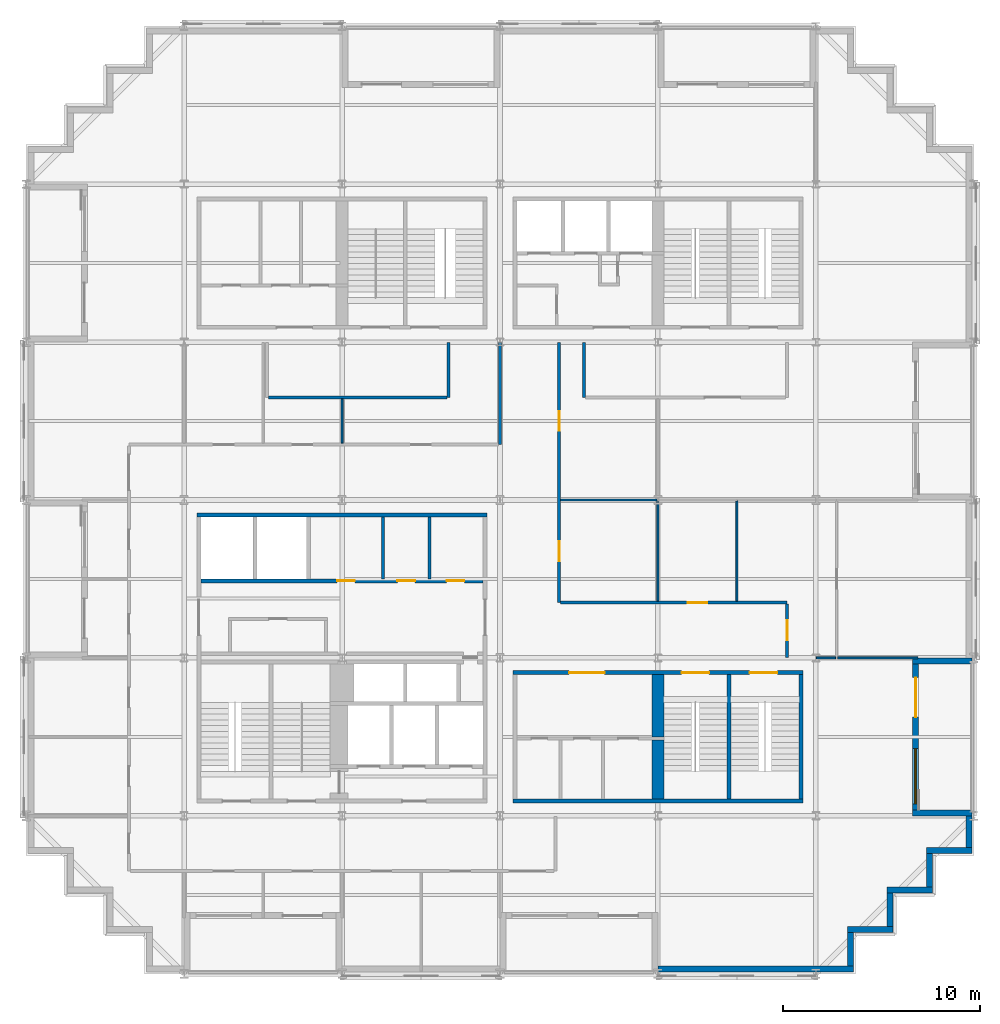
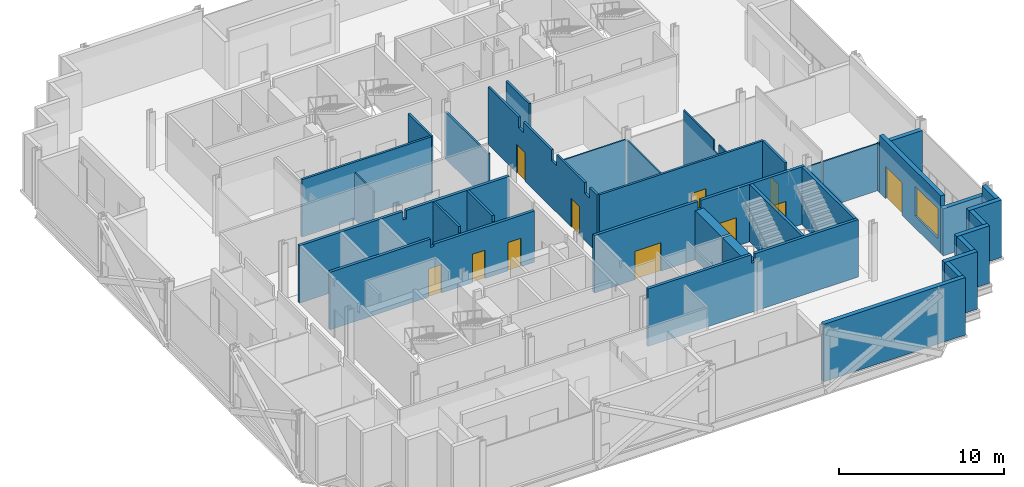
# One storey, part 8 of 13: 34 walls, 11 doors, 1 window, 12 openings.
"""IFC4 building model written with IfcOpenShell, lengths in metres."""

from ifc_helpers import new_model, si_unit, direction, frame, frame_2d, origin, place, context, subcontext, project, spatial, polyline, rectangle, outline, extrude, material, layer, layer_set, type_object, element, fill, save


model = new_model("IFC4")

# Units and contexts
model_context = context("Model", 3, precision=1e-05, world=origin(), true_north=direction((0.0, 1.0)))
body_context = subcontext(model_context, "Body", "Model", "MODEL_VIEW")
ifc_project = project(units=[si_unit("LENGTHUNIT", "METRE"), si_unit("AREAUNIT", "SQUARE_METRE"), si_unit("VOLUMEUNIT", "CUBIC_METRE"), si_unit("PLANEANGLEUNIT", "RADIAN"), si_unit("MASSUNIT", "GRAM", prefix="KILO")], contexts=[model_context])

# Site, building, storey
site_placement = place(None, origin())
site = spatial("IfcSite", under=ifc_project, at=site_placement, CompositionType="ELEMENT")
building_placement = place(site_placement, origin())
building = spatial("IfcBuilding", under=site, at=building_placement, Name="Immortelle Media Tower", CompositionType="ELEMENT")
storey_placement = place(building_placement, frame((0.0, 0.0, 74.39990234375)))
storey = spatial("IfcBuildingStorey", under=building, at=storey_placement, Name="L13", CompositionType="ELEMENT", Elevation=74.39990234375)

# Walls
ifc_material_1 = material(Name="Fire-rated gypsum board", Category="gypsum")
ifc_layer_1 = layer(ifc_material_1, 0.02490234375)
ifc_material_2 = material(Name="Steel ASTM A653 SS Gr 50 stud frame with mineral wool", Category="steel")
ifc_layer_2 = layer(ifc_material_2, 0.10009765625)
ifc_layer_3 = layer(ifc_material_1, 0.02490234375)
ifc_layer_set_1 = layer_set([ifc_layer_1, ifc_layer_2, ifc_layer_3], Name="Steel ASTM A653 SS Gr 50 stud frame with mineral wool")
wall_type_1 = type_object("IfcWallType", Name="Core partition 150", PredefinedType="PARTITIONING", material=ifc_layer_set_1)
for number, where, z_axis, x_axis, name in (
    (1, (18.074951171875, 20.0, 0.0), (0.0, 0.0, 1.0), (0.0, 1.0, 0.0), "Core partition SW"),
    (2, (20.425048828125, 20.0, 0.0), (0.0, 0.0, 1.0), (0.0, 1.0, 0.0), "Core partition SW"),
):
    element("IfcWall", number, at=place(storey_placement, frame(where, z_axis=z_axis, x_axis=x_axis)), inside=storey, type_object=wall_type_1, Name=name, PredefinedType="PARTITIONING", context=body_context, shape_type="SweptSolid", body=[
        extrude(outline(polyline([(0.0, 0.0), (3.14990234375, 0.0), (3.14990234375, 4.25), (0.08154296875, 4.25), (0.08056640625, 3.7890625), (0.0, 3.7890625), (0.0, 0.0)])), frame((0.0, 0.074951171875, 0.0), z_axis=(0.0, -1.0, 0.0), x_axis=(1.0, 0.0, 0.0)), (0.0, 0.0, 1.0), 0.14990234375),
    ])
ifc_layer_4 = layer(ifc_material_1, 0.03759765625)
ifc_layer_5 = layer(ifc_material_2, 0.125)
ifc_layer_6 = layer(ifc_material_1, 0.03759765625)
ifc_layer_set_2 = layer_set([ifc_layer_4, ifc_layer_5, ifc_layer_6], Name="Steel ASTM A653 SS Gr 50 stud frame with mineral wool")
wall_type_2 = type_object("IfcWallType", Name="Core shaft wall 200", PredefinedType="PARTITIONING", material=ifc_layer_set_2)
wall_1_placement = place(storey_placement, frame((8.64990234375, 23.25, 0.0), z_axis=(0.0, 0.0, 1.0), x_axis=(1.0, 0.0, 0.0)))
element("IfcWall", 3, at=wall_1_placement, inside=storey, type_object=wall_type_2, Name="Core shaft wall SW", PredefinedType="PARTITIONING", context=body_context, shape_type="SweptSolid", body=[
    extrude(outline(polyline([(0.0, 0.0), (14.7001953125, 0.0), (14.699951171875, 4.25), (7.469482421875, 4.25), (7.468505859375, 3.632080078125), (7.2314453125, 3.632080078125), (7.23046875, 4.25), (0.0, 4.25), (0.0, 0.0)])), frame((0.0, 0.10009765625, 0.0), z_axis=(0.0, -1.0, 0.0), x_axis=(1.0, 0.0, 0.0)), (0.0, 0.0, 1.0), 0.199951171875),
])

# Wall, openings, doors
wall_2_placement = place(storey_placement, frame((8.85009765625, 19.89990234375, 0.0), z_axis=(0.0, 0.0, 1.0), x_axis=(1.0, 0.0, 0.0)))
wall_2 = element("IfcWall", 4, at=wall_2_placement, inside=storey, type_object=wall_type_2, Name="Core shaft wall SW", PredefinedType="PARTITIONING", context=body_context, shape_type="SweptSolid", body=[
    extrude(outline(polyline([(0.0, 0.0), (14.2998046875, 0.0), (14.300048828125, 3.7890625), (7.26953125, 3.7890625), (7.2685546875, 3.632080078125), (7.031494140625, 3.632080078125), (7.030517578125, 4.25), (0.0, 4.25), (0.0, 0.0)])), frame((0.0, 0.10009765625, 0.0), z_axis=(0.0, -1.0, 0.0), x_axis=(1.0, 0.0, 0.0)), (0.0, 0.0, 1.0), 0.199951171875),
])
opening_1_placement = place(wall_2_placement, frame((6.89990234375, 0.0, 0.0)))
opening_1 = element("IfcOpeningElement", 5, at=opening_1_placement, cuts=wall_2, Name="Opening N4-K006", PredefinedType="OPENING", context=body_context, shape_type="SweptSolid", body=[
    extrude(rectangle(XDim=0.89990234375, YDim=2.10009765625, at=frame_2d((0.449951171875, 1.050048828125))), frame((0.0, 0.10986328125, 0.0), z_axis=(0.0, -1.0, 0.0), x_axis=(1.0, 0.0, 0.0)), (0.0, 0.0, 1.0), 0.219970703125),
])
opening_2_placement = place(wall_2_placement, frame((9.949951171875, 0.0, 0.0)))
opening_2 = element("IfcOpeningElement", 6, at=opening_2_placement, cuts=wall_2, Name="Opening N4-K008", PredefinedType="OPENING", context=body_context, shape_type="SweptSolid", body=[
    extrude(rectangle(XDim=0.89990234375, YDim=2.10009765625, at=frame_2d((0.449951171875, 1.050048828125))), frame((0.0, 0.10986328125, 0.0), z_axis=(0.0, -1.0, 0.0), x_axis=(1.0, 0.0, 0.0)), (0.0, 0.0, 1.0), 0.219970703125),
])
opening_3_placement = place(wall_2_placement, frame((12.449951171875, 0.0, 0.0)))
opening_3 = element("IfcOpeningElement", 7, at=opening_3_placement, cuts=wall_2, Name="Opening N4-K011", PredefinedType="OPENING", context=body_context, shape_type="SweptSolid", body=[
    extrude(rectangle(XDim=0.89990234375, YDim=2.10009765625, at=frame_2d((0.449951171875, 1.050048828125))), frame((0.0, 0.10986328125, 0.0), z_axis=(0.0, -1.0, 0.0), x_axis=(1.0, 0.0, 0.0)), (0.0, 0.0, 1.0), 0.219970703125),
])
ifc_material_3 = material(Name="Timber", Category="wood")
door_type_1 = type_object("IfcDoorType", Name="Room door 900 x 2100", OperationType="NOTDEFINED", PredefinedType="NOTDEFINED", material=ifc_material_3)
door_1_placement = place(opening_1_placement, origin())
door_1 = element("IfcDoor", 8, at=door_1_placement, inside=storey, type_object=door_type_1, Name="Room N4-K006", OperationType="SINGLE_SWING_LEFT", OverallHeight=2.10009765625, OverallWidth=0.89990234375, PredefinedType="NOTDEFINED", context=body_context, shape_type="SweptSolid", body=[
    extrude(rectangle(XDim=0.89990234375, YDim=2.10009765625, at=frame_2d((0.449951171875, 1.050048828125))), frame((0.0, 0.02490234375, 0.0), z_axis=(0.0, -1.0, 0.0), x_axis=(1.0, 0.0, 0.0)), (0.0, 0.0, 1.0), 0.050048828125),
])
fill(opening_1, door_1)
door_type_2 = type_object("IfcDoorType", Name="Toilet door 900 x 2100", OperationType="NOTDEFINED", PredefinedType="NOTDEFINED", material=ifc_material_3)
door_2_placement = place(opening_2_placement, origin())
door_2 = element("IfcDoor", 9, at=door_2_placement, inside=storey, type_object=door_type_2, Name="Toilet N4-K008", OperationType="SINGLE_SWING_LEFT", OverallHeight=2.10009765625, OverallWidth=0.89990234375, PredefinedType="NOTDEFINED", context=body_context, shape_type="SweptSolid", body=[
    extrude(rectangle(XDim=0.89990234375, YDim=2.10009765625, at=frame_2d((0.449951171875, 1.050048828125))), frame((0.0, 0.02490234375, 0.0), z_axis=(0.0, -1.0, 0.0), x_axis=(1.0, 0.0, 0.0)), (0.0, 0.0, 1.0), 0.050048828125),
])
fill(opening_2, door_2)
door_3_placement = place(opening_3_placement, origin())
door_3 = element("IfcDoor", 10, at=door_3_placement, inside=storey, type_object=door_type_2, Name="Toilet N4-K011", OperationType="SINGLE_SWING_LEFT", OverallHeight=2.10009765625, OverallWidth=0.89990234375, PredefinedType="NOTDEFINED", context=body_context, shape_type="SweptSolid", body=[
    extrude(rectangle(XDim=0.89990234375, YDim=2.10009765625, at=frame_2d((0.449951171875, 1.050048828125))), frame((0.0, 0.02490234375, 0.0), z_axis=(0.0, -1.0, 0.0), x_axis=(1.0, 0.0, 0.0)), (0.0, 0.0, 1.0), 0.050048828125),
])
fill(opening_3, door_3)

# Wall, opening, door
ifc_layer_7 = layer(ifc_material_1, 0.012451171875)
ifc_layer_8 = layer(ifc_material_2, 0.125)
ifc_layer_9 = layer(ifc_material_1, 0.012451171875)
ifc_layer_set_3 = layer_set([ifc_layer_7, ifc_layer_8, ifc_layer_9], Name="Steel ASTM A653 SS Gr 50 stud frame with mineral wool")
wall_type_3 = type_object("IfcWallType", Name="Corridor wall 150", PredefinedType="PARTITIONING", material=ifc_layer_set_3)
wall_3_placement = place(storey_placement, frame((38.550048828125, 16.030029296875, 0.0), z_axis=(0.0, 0.0, 1.0), x_axis=(0.0, 1.0, 0.0)))
wall_3 = element("IfcWall", 11, at=wall_3_placement, inside=storey, type_object=wall_type_3, Name="Partition L13-015", PredefinedType="PARTITIONING", context=body_context, shape_type="SweptSolid", body=[
    extrude(rectangle(XDim=2.695068359375, YDim=0.14990234375, at=frame_2d((1.34765625, 0.0))), origin(), (0.0, 0.0, 1.0), 4.25),
])
opening_4_placement = place(wall_3_placement, frame((1.8701171875, 0.0, 0.0), z_axis=(0.0, 0.0, 1.0), x_axis=(-1.0, 0.0, 0.0)))
opening_4 = element("IfcOpeningElement", 12, at=opening_4_placement, cuts=wall_3, Name="Opening N4-F012", PredefinedType="OPENING", context=body_context, shape_type="SweptSolid", body=[
    extrude(rectangle(XDim=1.0, YDim=2.10009765625, at=frame_2d((0.5, 1.050048828125))), frame((0.0, 0.0849609375, 0.0), z_axis=(0.0, -1.0, 0.0), x_axis=(1.0, 0.0, 0.0)), (0.0, 0.0, 1.0), 0.169921875),
])
ifc_material_4 = material(Name="Timber veneered door leaf, galvanised steel frame ASTM A653", Category="steel")
door_type_3 = type_object("IfcDoorType", Name="Room door 1000 x 2100", OperationType="NOTDEFINED", PredefinedType="DOOR", material=ifc_material_4)
door_4_placement = place(opening_4_placement, origin())
door_4 = element("IfcDoor", 13, at=door_4_placement, inside=storey, type_object=door_type_3, Name="Door N4-F012", OperationType="SINGLE_SWING_RIGHT", OverallHeight=2.10009765625, OverallWidth=1.0, PredefinedType="DOOR", context=body_context, shape_type="SweptSolid", body=[
    extrude(rectangle(XDim=1.0, YDim=2.10009765625, at=frame_2d((0.5, 1.050048828125))), frame((0.0, 0.02490234375, 0.0), z_axis=(0.0, -1.0, 0.0), x_axis=(1.0, 0.0, 0.0)), (0.0, 0.0, 1.0), 0.050048828125),
])
fill(opening_4, door_4)

wall_4_placement = place(storey_placement, frame((27.074951171875, 18.800048828125, 0.0), z_axis=(0.0, 0.0, 1.0), x_axis=(1.0, 0.0, 0.0)))
wall_4 = element("IfcWall", 14, at=wall_4_placement, inside=storey, type_object=wall_type_3, Name="Partition L13-016", PredefinedType="PARTITIONING", context=body_context, shape_type="SweptSolid", body=[
    extrude(rectangle(XDim=11.47509765625, YDim=0.14990234375, at=frame_2d((5.737548828125, 0.0))), origin(), (0.0, 0.0, 1.0), 4.25),
])
opening_5_placement = place(wall_4_placement, frame((6.425048828125, 0.0, 0.0)))
opening_5 = element("IfcOpeningElement", 15, at=opening_5_placement, cuts=wall_4, Name="Opening N4-F011", PredefinedType="OPENING", context=body_context, shape_type="SweptSolid", body=[
    extrude(rectangle(XDim=1.0, YDim=2.10009765625, at=frame_2d((0.5, 1.050048828125))), frame((0.0, 0.0849609375, 0.0), z_axis=(0.0, -1.0, 0.0), x_axis=(1.0, 0.0, 0.0)), (0.0, 0.0, 1.0), 0.169921875),
])
door_5_placement = place(opening_5_placement, origin())
door_5 = element("IfcDoor", 16, at=door_5_placement, inside=storey, type_object=door_type_3, Name="Door N4-F011", OperationType="SINGLE_SWING_LEFT", OverallHeight=2.10009765625, OverallWidth=1.0, PredefinedType="DOOR", context=body_context, shape_type="SweptSolid", body=[
    extrude(rectangle(XDim=1.0, YDim=2.10009765625, at=frame_2d((0.5, 1.050048828125))), frame((0.0, 0.02490234375, 0.0), z_axis=(0.0, -1.0, 0.0), x_axis=(1.0, 0.0, 0.0)), (0.0, 0.0, 1.0), 0.050048828125),
])
fill(opening_5, door_5)

# Wall, openings, doors
wall_5_placement = place(storey_placement, frame((27.0, 18.800048828125, 0.0), z_axis=(0.0, 0.0, 1.0), x_axis=(0.0, 1.0, 0.0)))
wall_5 = element("IfcWall", 17, at=wall_5_placement, inside=storey, type_object=wall_type_3, Name="Partition L13-017", PredefinedType="PARTITIONING", context=body_context, shape_type="SweptSolid", body=[
    extrude(outline(polyline([(0.0, 0.0), (13.169921875, 0.0), (13.169921875, 4.25), (9.5, 4.25), (9.498046875, 3.47021484375), (8.902099609375, 3.47021484375), (8.89990234375, 4.25), (5.5, 4.25), (5.498046875, 3.47021484375), (4.902099609375, 3.47021484375), (4.89990234375, 4.25), (1.5, 4.25), (1.498046875, 3.47021484375), (0.902099609375, 3.47021484375), (0.89990234375, 4.25), (0.0, 4.25), (0.0, 0.0)])), frame((0.0, 0.074951171875, 0.0), z_axis=(0.0, -1.0, 0.0), x_axis=(1.0, 0.0, 0.0)), (0.0, 0.0, 1.0), 0.14990234375),
])
opening_6_placement = place(wall_5_placement, frame((3.10009765625, 0.0, 0.0), z_axis=(0.0, 0.0, 1.0), x_axis=(-1.0, 0.0, 0.0)))
opening_6 = element("IfcOpeningElement", 18, at=opening_6_placement, cuts=wall_5, Name="Opening N4-F014", PredefinedType="OPENING", context=body_context, shape_type="SweptSolid", body=[
    extrude(rectangle(XDim=1.0, YDim=2.10009765625, at=frame_2d((0.5, 1.050048828125))), frame((0.0, 0.0849609375, 0.0), z_axis=(0.0, -1.0, 0.0), x_axis=(1.0, 0.0, 0.0)), (0.0, 0.0, 1.0), 0.169921875),
])
opening_7_placement = place(wall_5_placement, frame((9.699951171875, 0.0, 0.0), z_axis=(0.0, 0.0, 1.0), x_axis=(-1.0, 0.0, 0.0)))
opening_7 = element("IfcOpeningElement", 19, at=opening_7_placement, cuts=wall_5, Name="Opening N4-F015", PredefinedType="OPENING", context=body_context, shape_type="SweptSolid", body=[
    extrude(rectangle(XDim=1.0, YDim=2.10009765625, at=frame_2d((0.5, 1.050048828125))), frame((0.0, 0.0849609375, 0.0), z_axis=(0.0, -1.0, 0.0), x_axis=(1.0, 0.0, 0.0)), (0.0, 0.0, 1.0), 0.169921875),
])
door_6_placement = place(opening_6_placement, origin())
door_6 = element("IfcDoor", 20, at=door_6_placement, inside=storey, type_object=door_type_3, Name="Door N4-F014", OperationType="SINGLE_SWING_RIGHT", OverallHeight=2.10009765625, OverallWidth=1.0, PredefinedType="DOOR", context=body_context, shape_type="SweptSolid", body=[
    extrude(rectangle(XDim=1.0, YDim=2.10009765625, at=frame_2d((0.5, 1.050048828125))), frame((0.0, 0.02490234375, 0.0), z_axis=(0.0, -1.0, 0.0), x_axis=(1.0, 0.0, 0.0)), (0.0, 0.0, 1.0), 0.050048828125),
])
fill(opening_6, door_6)
door_7_placement = place(opening_7_placement, origin())
door_7 = element("IfcDoor", 21, at=door_7_placement, inside=storey, type_object=door_type_3, Name="Door N4-F015", OperationType="SINGLE_SWING_RIGHT", OverallHeight=2.10009765625, OverallWidth=1.0, PredefinedType="DOOR", context=body_context, shape_type="SweptSolid", body=[
    extrude(rectangle(XDim=1.0, YDim=2.10009765625, at=frame_2d((0.5, 1.050048828125))), frame((0.0, 0.02490234375, 0.0), z_axis=(0.0, -1.0, 0.0), x_axis=(1.0, 0.0, 0.0)), (0.0, 0.0, 1.0), 0.050048828125),
])
fill(opening_7, door_7)

# Walls
wall_6_placement = place(storey_placement, frame((24.0, 26.800048828125, 0.0), z_axis=(0.0, 0.0, 1.0), x_axis=(0.0, 1.0, 0.0)))
element("IfcWall", 22, at=wall_6_placement, inside=storey, type_object=wall_type_3, Name="Partition L13-031", PredefinedType="PARTITIONING", context=body_context, shape_type="SweptSolid", body=[
    extrude(rectangle(XDim=5.169921875, YDim=0.14990234375, at=frame_2d((2.5849609375, 0.0))), origin(), (0.0, 0.0, 1.0), 3.47021484375),
])
wall_7_placement = place(storey_placement, frame((12.27490234375, 29.199951171875, 0.0), z_axis=(0.0, 0.0, 1.0), x_axis=(1.0, 0.0, 0.0)))
element("IfcWall", 23, at=wall_7_placement, inside=storey, type_object=wall_type_3, Name="Partition L13-032", PredefinedType="PARTITIONING", context=body_context, shape_type="SweptSolid", body=[
    extrude(rectangle(XDim=9.050048828125, YDim=0.14990234375, at=frame_2d((4.52490234375, 0.0))), origin(), (0.0, 0.0, 1.0), 4.25),
])
for number, where, z_axis, x_axis, name in (
    (24, (21.39990234375, 29.199951171875, 0.0), (0.0, 0.0, 1.0), (0.0, 1.0, 0.0), "Partition L13-034"),
    (25, (28.25, 29.199951171875, 0.0), (0.0, 0.0, 1.0), (0.0, 1.0, 0.0), "Partition L13-036"),
):
    element("IfcWall", number, at=place(storey_placement, frame(where, z_axis=z_axis, x_axis=x_axis)), inside=storey, type_object=wall_type_3, Name=name, PredefinedType="PARTITIONING", context=body_context, shape_type="SweptSolid", body=[
        extrude(rectangle(XDim=2.77001953125, YDim=0.14990234375, at=frame_2d((1.385009765625, 0.0))), origin(), (0.0, 0.0, 1.0), 4.25),
    ])
ifc_material_5 = material(Name="Pale aluminium cladding panel", Category="aluminium")
ifc_layer_10 = layer(ifc_material_5, 0.030029296875)
ifc_layer_11 = layer(ifc_material_2, 0.257568359375)
ifc_material_6 = material(Name="Moisture-resistant gypsum board", Category="gypsum")
ifc_layer_12 = layer(ifc_material_6, 0.012451171875)
ifc_layer_set_4 = layer_set([ifc_layer_10, ifc_layer_11, ifc_layer_12], Name="Steel ASTM A653 SS Gr 50 stud frame with mineral wool")
wall_type_4 = type_object("IfcWallType", Name="Facade wall 300", PredefinedType="SOLIDWALL", material=ifc_layer_set_4)
wall_8_placement = place(storey_placement, frame((32.0, 0.25, 0.0), z_axis=(0.0, 0.0, 1.0), x_axis=(1.0, 0.0, 0.0)))
element("IfcWall", 26, at=wall_8_placement, inside=storey, type_object=wall_type_4, Name="Facade wall L13 S7", PredefinedType="SOLIDWALL", context=body_context, shape_type="SweptSolid", body=[
    extrude(rectangle(XDim=9.89990234375, YDim=0.300048828125, at=frame_2d((4.949951171875, 0.0))), origin(), (0.0, 0.0, 1.0), 4.25),
])
wall_9_placement = place(storey_placement, frame((41.75, 0.39990234375, 0.0), z_axis=(0.0, 0.0, 1.0), x_axis=(0.0, 1.0, 0.0)))
element("IfcWall", 27, at=wall_9_placement, inside=storey, type_object=wall_type_4, Name="Facade wall L13 E8", PredefinedType="SOLIDWALL", context=body_context, shape_type="SweptSolid", body=[
    extrude(rectangle(XDim=1.7001953125, YDim=0.300048828125, at=frame_2d((0.85009765625, 0.0))), origin(), (0.0, 0.0, 1.0), 4.25),
])
wall_10_placement = place(storey_placement, frame((41.60009765625, 2.25, 0.0), z_axis=(0.0, 0.0, 1.0), x_axis=(1.0, 0.0, 0.0)))
element("IfcWall", 28, at=wall_10_placement, inside=storey, type_object=wall_type_4, Name="Facade wall L13 S9", PredefinedType="SOLIDWALL", context=body_context, shape_type="SweptSolid", body=[
    extrude(rectangle(XDim=2.2998046875, YDim=0.300048828125, at=frame_2d((1.14990234375, 0.0))), origin(), (0.0, 0.0, 1.0), 4.25),
])
wall_11_placement = place(storey_placement, frame((43.75, 2.39990234375, 0.0), z_axis=(0.0, 0.0, 1.0), x_axis=(0.0, 1.0, 0.0)))
element("IfcWall", 29, at=wall_11_placement, inside=storey, type_object=wall_type_4, Name="Facade wall L13 E10", PredefinedType="SOLIDWALL", context=body_context, shape_type="SweptSolid", body=[
    extrude(rectangle(XDim=1.7001953125, YDim=0.300048828125, at=frame_2d((0.85009765625, 0.0))), origin(), (0.0, 0.0, 1.0), 4.25),
])
wall_12_placement = place(storey_placement, frame((43.60009765625, 4.25, 0.0), z_axis=(0.0, 0.0, 1.0), x_axis=(1.0, 0.0, 0.0)))
element("IfcWall", 30, at=wall_12_placement, inside=storey, type_object=wall_type_4, Name="Facade wall L13 S11", PredefinedType="SOLIDWALL", context=body_context, shape_type="SweptSolid", body=[
    extrude(rectangle(XDim=2.2998046875, YDim=0.300048828125, at=frame_2d((1.14990234375, 0.0))), origin(), (0.0, 0.0, 1.0), 4.25),
])
wall_13_placement = place(storey_placement, frame((45.75, 4.39990234375, 0.0), z_axis=(0.0, 0.0, 1.0), x_axis=(0.0, 1.0, 0.0)))
element("IfcWall", 31, at=wall_13_placement, inside=storey, type_object=wall_type_4, Name="Facade wall L13 E12", PredefinedType="SOLIDWALL", context=body_context, shape_type="SweptSolid", body=[
    extrude(rectangle(XDim=1.7001953125, YDim=0.300048828125, at=frame_2d((0.85009765625, 0.0))), origin(), (0.0, 0.0, 1.0), 4.25),
])
wall_14_placement = place(storey_placement, frame((45.60009765625, 6.25, 0.0), z_axis=(0.0, 0.0, 1.0), x_axis=(1.0, 0.0, 0.0)))
element("IfcWall", 32, at=wall_14_placement, inside=storey, type_object=wall_type_4, Name="Facade wall L13 S13", PredefinedType="SOLIDWALL", context=body_context, shape_type="SweptSolid", body=[
    extrude(rectangle(XDim=2.2998046875, YDim=0.300048828125, at=frame_2d((1.14990234375, 0.0))), origin(), (0.0, 0.0, 1.0), 4.25),
])
wall_15_placement = place(storey_placement, frame((47.75, 6.39990234375, 0.0), z_axis=(0.0, 0.0, 1.0), x_axis=(0.0, 1.0, 0.0)))
element("IfcWall", 33, at=wall_15_placement, inside=storey, type_object=wall_type_4, Name="Facade wall L13 E14", PredefinedType="SOLIDWALL", context=body_context, shape_type="SweptSolid", body=[
    extrude(rectangle(XDim=1.60009765625, YDim=0.300048828125, at=frame_2d((0.800048828125, 0.0))), origin(), (0.0, 0.0, 1.0), 4.25),
])

# Wall, openings, door, window
wall_16_placement = place(storey_placement, frame((45.050048828125, 8.300048828125, 0.0), z_axis=(0.0, 0.0, 1.0), x_axis=(0.0, 1.0, 0.0)))
wall_16 = element("IfcWall", 34, at=wall_16_placement, inside=storey, type_object=wall_type_4, Name="Loggia wall L13 E14", PredefinedType="SOLIDWALL", context=body_context, shape_type="SweptSolid", body=[
    extrude(rectangle(XDim=7.39990234375, YDim=0.300048828125, at=frame_2d((3.699951171875, 0.0))), origin(), (0.0, 0.0, 1.0), 4.25),
])
opening_8_placement = place(wall_16_placement, frame((0.300048828125, 0.0, 0.89990234375)))
opening_8 = element("IfcOpeningElement", 35, at=opening_8_placement, cuts=wall_16, Name="Opening W1", PredefinedType="OPENING", context=body_context, shape_type="SweptSolid", body=[
    extrude(rectangle(XDim=2.800048828125, YDim=2.199951171875, at=frame_2d((1.39990234375, 1.10009765625))), frame((0.0, 0.159912109375, 0.0), z_axis=(0.0, -1.0, 0.0), x_axis=(1.0, 0.0, 0.0)), (0.0, 0.0, 1.0), 0.320068359375),
])
opening_9_placement = place(wall_16_placement, frame((4.699951171875, 0.0, 0.0)))
opening_9 = element("IfcOpeningElement", 36, at=opening_9_placement, cuts=wall_16, Name="Opening N4-E005", PredefinedType="OPENING", context=body_context, shape_type="SweptSolid", body=[
    extrude(rectangle(XDim=2.0, YDim=2.39990234375, at=frame_2d((1.0, 1.199951171875))), frame((0.0, 0.159912109375, 0.0), z_axis=(0.0, -1.0, 0.0), x_axis=(1.0, 0.0, 0.0)), (0.0, 0.0, 1.0), 0.320068359375),
])
ifc_material_7 = material(Name="Aluminium frame, glazed leaves", Category="aluminium")
door_type_4 = type_object("IfcDoorType", Name="Loggia door 2000 x 2400", OperationType="DOUBLE_DOOR_SINGLE_SWING", PredefinedType="DOOR", material=ifc_material_7)
door_8_placement = place(opening_9_placement, origin())
door_8 = element("IfcDoor", 37, at=door_8_placement, inside=storey, type_object=door_type_4, Name="Door N4-E005", OperationType="DOUBLE_DOOR_SINGLE_SWING", OverallHeight=2.39990234375, OverallWidth=2.0, PredefinedType="DOOR", context=body_context, shape_type="SweptSolid", body=[
    extrude(rectangle(XDim=2.0, YDim=2.39990234375, at=frame_2d((1.0, 1.199951171875))), frame((0.0, 0.02490234375, 0.0), z_axis=(0.0, -1.0, 0.0), x_axis=(1.0, 0.0, 0.0)), (0.0, 0.0, 1.0), 0.050048828125),
])
fill(opening_9, door_8)
ifc_material_8 = material(Name="Aluminium frame", Category="aluminium")
window_type = type_object("IfcWindowType", Name="Window 2800 x 2200", PartitioningType="SINGLE_PANEL", PredefinedType="WINDOW", material=ifc_material_8)
window_placement = place(opening_8_placement, origin())
window = element("IfcWindow", 38, at=window_placement, inside=storey, type_object=window_type, Name="Window L13 L13-R14-B0", OverallHeight=2.199951171875, OverallWidth=2.800048828125, PartitioningType="SINGLE_PANEL", PredefinedType="WINDOW", context=body_context, shape_type="SweptSolid", body=[
    extrude(rectangle(XDim=2.800048828125, YDim=2.199951171875, at=frame_2d((1.39990234375, 1.10009765625))), frame((0.0, 0.030029296875, 0.0), z_axis=(0.0, -1.0, 0.0), x_axis=(1.0, 0.0, 0.0)), (0.0, 0.0, 1.0), 0.06005859375),
])
fill(opening_8, window)

# Walls
wall_17_placement = place(storey_placement, frame((47.89990234375, 8.14990234375, 0.0), z_axis=(0.0, 0.0, 1.0), x_axis=(-1.0, 0.0, 0.0)))
element("IfcWall", 39, at=wall_17_placement, inside=storey, type_object=wall_type_4, Name="Loggia cheek wall L13 E", PredefinedType="SOLIDWALL", context=body_context, shape_type="SweptSolid", body=[
    extrude(rectangle(XDim=3.0, YDim=0.300048828125, at=frame_2d((1.5, 0.0))), origin(), (0.0, 0.0, 1.0), 3.468994140625),
])
wall_18_placement = place(storey_placement, frame((47.89990234375, 15.85009765625, 0.0), z_axis=(0.0, 0.0, 1.0), x_axis=(-1.0, 0.0, 0.0)))
element("IfcWall", 40, at=wall_18_placement, inside=storey, type_object=wall_type_4, Name="Loggia cheek wall L13 E", PredefinedType="SOLIDWALL", context=body_context, shape_type="SweptSolid", body=[
    extrude(rectangle(XDim=3.0, YDim=0.300048828125, at=frame_2d((1.5, 0.0))), origin(), (0.0, 0.0, 1.0), 3.55615234375),
])
ifc_material_9 = material(Name="Gypsum board", Category="gypsum")
ifc_layer_13 = layer(ifc_material_9, 0.012451171875)
ifc_layer_14 = layer(ifc_material_2, 0.074951171875)
ifc_layer_15 = layer(ifc_material_9, 0.012451171875)
ifc_layer_set_5 = layer_set([ifc_layer_13, ifc_layer_14, ifc_layer_15], Name="Steel ASTM A653 SS Gr 50 stud frame with mineral wool")
wall_type_5 = type_object("IfcWallType", Name="Partition 100", PredefinedType="PARTITIONING", material=ifc_layer_set_5)
wall_19_placement = place(storey_placement, frame((40.030029296875, 16.0, 0.0), z_axis=(0.0, 0.0, 1.0), x_axis=(1.0, 0.0, 0.0)))
element("IfcWall", 41, at=wall_19_placement, inside=storey, type_object=wall_type_5, Name="Partition L13-012", PredefinedType="PARTITIONING", context=body_context, shape_type="SweptSolid", body=[
    extrude(rectangle(XDim=0.969970703125, YDim=0.10009765625, at=frame_2d((0.48486328125, 0.0))), origin(), (0.0, 0.0, 1.0), 3.47021484375),
])
wall_20_placement = place(storey_placement, frame((41.10009765625, 16.0, 0.0), z_axis=(0.0, 0.0, 1.0), x_axis=(1.0, 0.0, 0.0)))
element("IfcWall", 42, at=wall_20_placement, inside=storey, type_object=wall_type_5, Name="Partition L13-013", PredefinedType="PARTITIONING", context=body_context, shape_type="SweptSolid", body=[
    extrude(rectangle(XDim=4.06982421875, YDim=0.10009765625, at=frame_2d((2.034912109375, 0.0))), origin(), (0.0, 0.0, 1.0), 3.47021484375),
])
wall_21_placement = place(storey_placement, frame((32.0, 18.875, 0.0), z_axis=(0.0, 0.0, 1.0), x_axis=(0.0, 1.0, 0.0)))
element("IfcWall", 43, at=wall_21_placement, inside=storey, type_object=wall_type_5, Name="Partition L13-018", PredefinedType="PARTITIONING", context=body_context, shape_type="SweptSolid", body=[
    extrude(rectangle(XDim=5.074951171875, YDim=0.10009765625, at=frame_2d((2.53759765625, 0.0))), origin(), (0.0, 0.0, 1.0), 3.47021484375),
])
wall_22_placement = place(storey_placement, frame((36.0, 18.875, 0.0), z_axis=(0.0, 0.0, 1.0), x_axis=(0.0, 1.0, 0.0)))
element("IfcWall", 44, at=wall_22_placement, inside=storey, type_object=wall_type_5, Name="Partition L13-019", PredefinedType="PARTITIONING", context=body_context, shape_type="SweptSolid", body=[
    extrude(outline(polyline([(0.0, 0.0), (5.074951171875, 0.0), (5.074951171875, 4.25), (1.425048828125, 4.25), (1.423095703125, 3.47021484375), (0.826904296875, 3.47021484375), (0.824951171875, 4.25), (0.0, 4.25), (0.0, 0.0)])), frame((0.0, 0.050048828125, 0.0), z_axis=(0.0, -1.0, 0.0), x_axis=(1.0, 0.0, 0.0)), (0.0, 0.0, 1.0), 0.10009765625),
])
wall_23_placement = place(storey_placement, frame((27.074951171875, 24.0, 0.0), z_axis=(0.0, 0.0, 1.0), x_axis=(1.0, 0.0, 0.0)))
element("IfcWall", 45, at=wall_23_placement, inside=storey, type_object=wall_type_5, Name="Partition L13-022", PredefinedType="PARTITIONING", context=body_context, shape_type="SweptSolid", body=[
    extrude(rectangle(XDim=4.875, YDim=0.10009765625, at=frame_2d((2.4375, 0.0))), origin(), (0.0, 0.0, 1.0), 3.47021484375),
])
wall_24_placement = place(storey_placement, frame((16.0, 26.875, 0.0), z_axis=(0.0, 0.0, 1.0), x_axis=(0.0, 1.0, 0.0)))
element("IfcWall", 46, at=wall_24_placement, inside=storey, type_object=wall_type_5, Name="Partition L13-030", PredefinedType="PARTITIONING", context=body_context, shape_type="SweptSolid", body=[
    extrude(rectangle(XDim=2.25, YDim=0.10009765625, at=frame_2d((1.125, 0.0))), origin(), (0.0, 0.0, 1.0), 3.47021484375),
])
ifc_material_10 = material(Name="Concrete C60", Category="concrete")
ifc_layer_16 = layer(ifc_material_10, 0.199951171875)
ifc_layer_set_6 = layer_set([ifc_layer_16], Name="Concrete C60")
wall_type_6 = type_object("IfcWallType", Name="Stair shaft wall 200", PredefinedType="PARTITIONING", material=ifc_layer_set_6)
wall_25_placement = place(storey_placement, frame((24.64990234375, 8.75, 0.0), z_axis=(0.0, 0.0, 1.0), x_axis=(1.0, 0.0, 0.0)))
element("IfcWall", 47, at=wall_25_placement, inside=storey, type_object=wall_type_6, Name="Stair shaft wall SE", PredefinedType="PARTITIONING", context=body_context, shape_type="SweptSolid", body=[
    extrude(outline(polyline([(0.0, 0.0), (14.7001953125, 0.0), (14.699951171875, 4.25), (7.469482421875, 4.25), (7.468505859375, 3.632080078125), (7.2314453125, 3.632080078125), (7.23046875, 4.25), (0.0, 4.25), (0.0, 0.0)])), frame((0.0, 0.10009765625, 0.0), z_axis=(0.0, -1.0, 0.0), x_axis=(1.0, 0.0, 0.0)), (0.0, 0.0, 1.0), 0.199951171875),
])

# Wall, openings, doors
wall_26_placement = place(storey_placement, frame((24.64990234375, 15.25, 0.0), z_axis=(0.0, 0.0, 1.0), x_axis=(1.0, 0.0, 0.0)))
wall_26 = element("IfcWall", 48, at=wall_26_placement, inside=storey, type_object=wall_type_6, Name="Stair shaft wall SE", PredefinedType="PARTITIONING", context=body_context, shape_type="SweptSolid", body=[
    extrude(outline(polyline([(0.0, 0.0), (14.7001953125, 0.0), (14.699951171875, 4.25), (7.469482421875, 4.25), (7.468505859375, 3.632080078125), (7.2314453125, 3.632080078125), (7.23046875, 4.25), (0.0, 4.25), (0.0, 0.0)])), frame((0.0, 0.10009765625, 0.0), z_axis=(0.0, -1.0, 0.0), x_axis=(1.0, 0.0, 0.0)), (0.0, 0.0, 1.0), 0.199951171875),
])
opening_10_placement = place(wall_26_placement, frame((2.85009765625, 0.0, 0.0)))
opening_10 = element("IfcOpeningElement", 49, at=opening_10_placement, cuts=wall_26, Name="Opening N4-K017", PredefinedType="OPENING", context=body_context, shape_type="SweptSolid", body=[
    extrude(rectangle(XDim=1.800048828125, YDim=2.10009765625, at=frame_2d((0.89990234375, 1.050048828125))), frame((0.0, 0.10986328125, 0.0), z_axis=(0.0, -1.0, 0.0), x_axis=(1.0, 0.0, 0.0)), (0.0, 0.0, 1.0), 0.219970703125),
])
opening_11_placement = place(wall_26_placement, frame((9.949951171875, 0.0, 0.0), z_axis=(0.0, 0.0, 1.0), x_axis=(-1.0, 0.0, 0.0)))
opening_11 = element("IfcOpeningElement", 50, at=opening_11_placement, cuts=wall_26, Name="Opening N4-K019", PredefinedType="OPENING", context=body_context, shape_type="SweptSolid", body=[
    extrude(rectangle(XDim=1.39990234375, YDim=2.10009765625, at=frame_2d((0.699951171875, 1.050048828125))), frame((0.0, 0.10986328125, 0.0), z_axis=(0.0, -1.0, 0.0), x_axis=(1.0, 0.0, 0.0)), (0.0, 0.0, 1.0), 0.219970703125),
])
opening_12_placement = place(wall_26_placement, frame((13.39990234375, 0.0, 0.0), z_axis=(0.0, 0.0, 1.0), x_axis=(-1.0, 0.0, 0.0)))
opening_12 = element("IfcOpeningElement", 51, at=opening_12_placement, cuts=wall_26, Name="Opening N4-K020", PredefinedType="OPENING", context=body_context, shape_type="SweptSolid", body=[
    extrude(rectangle(XDim=1.39990234375, YDim=2.10009765625, at=frame_2d((0.699951171875, 1.050048828125))), frame((0.0, 0.10986328125, 0.0), z_axis=(0.0, -1.0, 0.0), x_axis=(1.0, 0.0, 0.0)), (0.0, 0.0, 1.0), 0.219970703125),
])
ifc_material_11 = material(Name="Galvanised steel door leaf and frame ASTM A653", Category="steel")
door_type_5 = type_object("IfcDoorType", Name="Lift lobby door 1800 x 2100", OperationType="DOUBLE_DOOR_SINGLE_SWING", PredefinedType="NOTDEFINED", material=ifc_material_11)
door_9_placement = place(opening_10_placement, origin())
door_9 = element("IfcDoor", 52, at=door_9_placement, inside=storey, type_object=door_type_5, Name="Lift lobby N4-K017", OperationType="DOUBLE_DOOR_SINGLE_SWING", OverallHeight=2.10009765625, OverallWidth=1.800048828125, PredefinedType="NOTDEFINED", context=body_context, shape_type="SweptSolid", body=[
    extrude(rectangle(XDim=1.800048828125, YDim=2.10009765625, at=frame_2d((0.89990234375, 1.050048828125))), frame((0.0, 0.02490234375, 0.0), z_axis=(0.0, -1.0, 0.0), x_axis=(1.0, 0.0, 0.0)), (0.0, 0.0, 1.0), 0.050048828125),
])
fill(opening_10, door_9)
door_type_6 = type_object("IfcDoorType", Name="Stair door 1400 x 2100", OperationType="DOUBLE_DOOR_SINGLE_SWING", PredefinedType="NOTDEFINED", material=ifc_material_11)
door_10_placement = place(opening_11_placement, origin())
door_10 = element("IfcDoor", 53, at=door_10_placement, inside=storey, type_object=door_type_6, Name="Stair N4-K019", OperationType="DOUBLE_DOOR_SINGLE_SWING", OverallHeight=2.10009765625, OverallWidth=1.39990234375, PredefinedType="NOTDEFINED", context=body_context, shape_type="SweptSolid", body=[
    extrude(rectangle(XDim=1.39990234375, YDim=2.10009765625, at=frame_2d((0.699951171875, 1.050048828125))), frame((0.0, 0.02490234375, 0.0), z_axis=(0.0, -1.0, 0.0), x_axis=(1.0, 0.0, 0.0)), (0.0, 0.0, 1.0), 0.050048828125),
])
fill(opening_11, door_10)
door_11_placement = place(opening_12_placement, origin())
door_11 = element("IfcDoor", 54, at=door_11_placement, inside=storey, type_object=door_type_6, Name="Stair N4-K020", OperationType="DOUBLE_DOOR_SINGLE_SWING", OverallHeight=2.10009765625, OverallWidth=1.39990234375, PredefinedType="NOTDEFINED", context=body_context, shape_type="SweptSolid", body=[
    extrude(rectangle(XDim=1.39990234375, YDim=2.10009765625, at=frame_2d((0.699951171875, 1.050048828125))), frame((0.0, 0.02490234375, 0.0), z_axis=(0.0, -1.0, 0.0), x_axis=(1.0, 0.0, 0.0)), (0.0, 0.0, 1.0), 0.050048828125),
])
fill(opening_12, door_11)

# Walls
for number, where, z_axis, x_axis, name in (
    (55, (35.60009765625, 8.85009765625, 0.0), (0.0, 0.0, 1.0), (0.0, 1.0, 0.0), "Stair shaft wall SE"),
    (56, (39.25, 8.85009765625, 0.0), (0.0, 0.0, 1.0), (0.0, 1.0, 0.0), "Stair shaft wall SE"),
):
    element("IfcWall", number, at=place(storey_placement, frame(where, z_axis=z_axis, x_axis=x_axis)), inside=storey, type_object=wall_type_6, Name=name, PredefinedType="PARTITIONING", context=body_context, shape_type="SweptSolid", body=[
        extrude(rectangle(XDim=6.2998046875, YDim=0.199951171875, at=frame_2d((3.14990234375, 0.0))), origin(), (0.0, 0.0, 1.0), 4.25),
    ])
ifc_layer_17 = layer(ifc_material_10, 0.60009765625)
ifc_layer_set_7 = layer_set([ifc_layer_17], Name="Concrete C60")
wall_type_7 = type_object("IfcWallType", Name="Stair shaft wall 600", PredefinedType="PARTITIONING", material=ifc_layer_set_7)
wall_27_placement = place(storey_placement, frame((32.0, 8.85009765625, 0.0), z_axis=(0.0, 0.0, 1.0), x_axis=(0.0, 1.0, 0.0)))
element("IfcWall", 57, at=wall_27_placement, inside=storey, type_object=wall_type_7, Name="Stair shaft wall SE", PredefinedType="PARTITIONING", context=body_context, shape_type="SweptSolid", body=[
    extrude(rectangle(XDim=3.0, YDim=0.60009765625, at=frame_2d((1.5, 0.0))), origin(), (0.0, 0.0, 1.0), 3.632080078125),
])
wall_28_placement = place(storey_placement, frame((32.0, 12.0, 0.0), z_axis=(0.0, 0.0, 1.0), x_axis=(0.0, 1.0, 0.0)))
element("IfcWall", 58, at=wall_28_placement, inside=storey, type_object=wall_type_7, Name="Stair shaft wall SE", PredefinedType="PARTITIONING", context=body_context, shape_type="SweptSolid", body=[
    extrude(rectangle(XDim=3.14990234375, YDim=0.60009765625, at=frame_2d((1.574951171875, 0.0))), origin(), (0.0, 0.0, 1.0), 3.632080078125),
])

save(model, "model.ifc")
